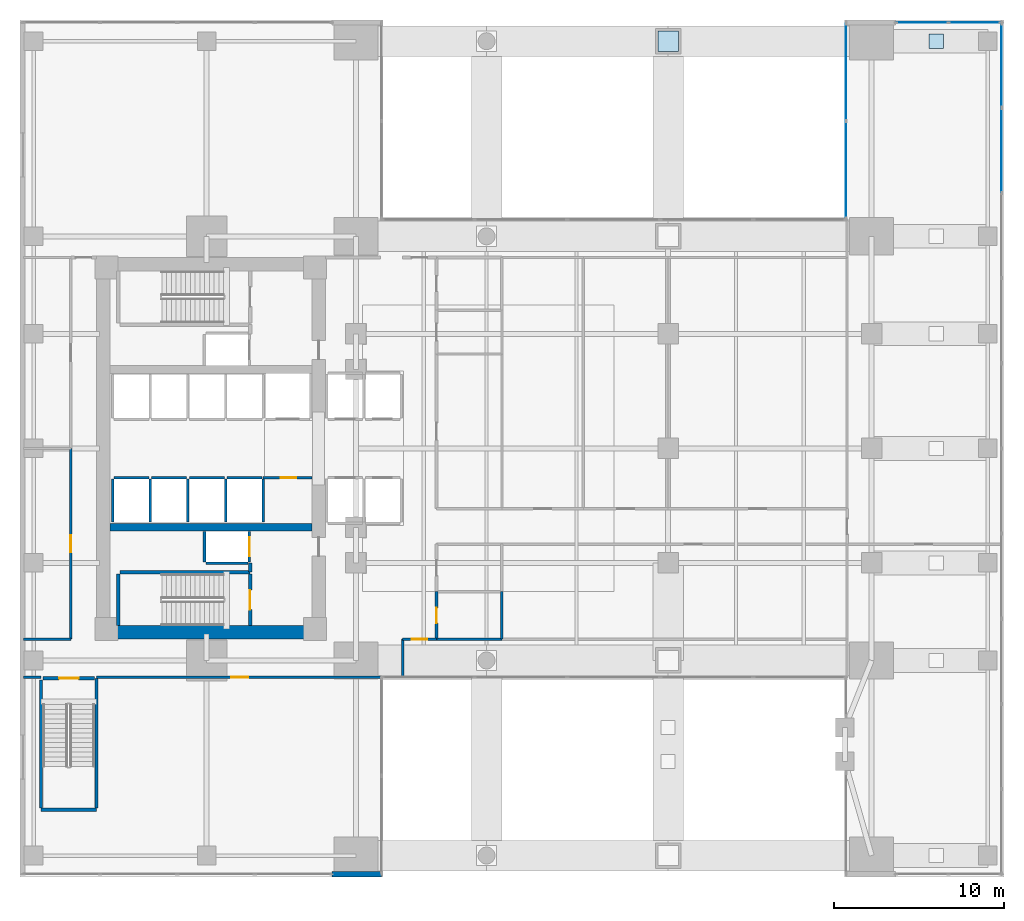
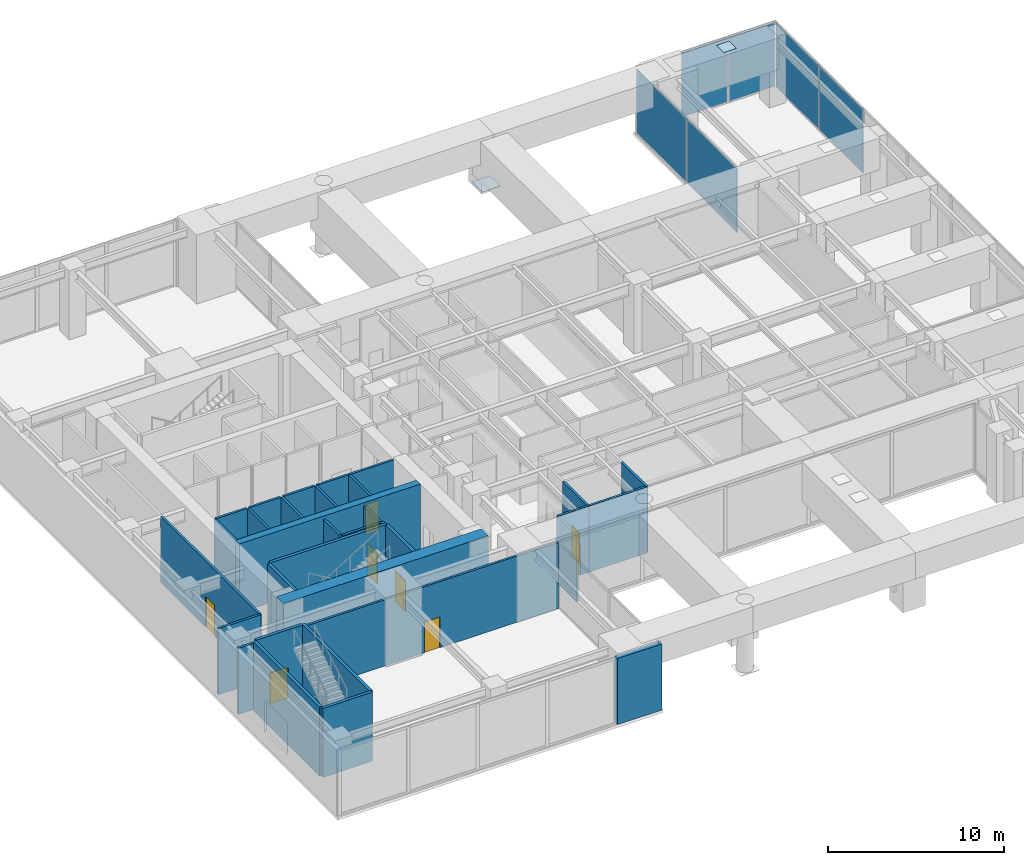
# One storey, part 8 of 13: 33 walls, 8 doors, 8 plates, 8 openings, 3 elements without a shape of their own.
"""IFC4 building model written with IfcOpenShell, lengths in metres."""

from ifc_helpers import new_model, si_unit, direction, frame, frame_2d, origin, origin_2d, place, context, subcontext, project, spatial, polyline, rectangle, outline, extrude, material, layer, layer_set, type_object, element, fill, aggregate, save


model = new_model("IFC4")

# Units and contexts
model_context = context("Model", 3, precision=1e-05, world=origin(), true_north=direction((0.0, 1.0)))
body_context = subcontext(model_context, "Body", "Model", "MODEL_VIEW")
ifc_project = project(units=[si_unit("LENGTHUNIT", "METRE"), si_unit("AREAUNIT", "SQUARE_METRE"), si_unit("VOLUMEUNIT", "CUBIC_METRE"), si_unit("PLANEANGLEUNIT", "RADIAN"), si_unit("MASSUNIT", "GRAM", prefix="KILO")], contexts=[model_context])

# Site, building, storey
site_placement = place(None, origin())
site = spatial("IfcSite", under=ifc_project, at=site_placement, CompositionType="ELEMENT")
building_placement = place(site_placement, origin())
building = spatial("IfcBuilding", under=site, at=building_placement, Name="Kinhvarn Gate Tower", CompositionType="ELEMENT")
storey_placement = place(building_placement, frame((0.0, 0.0, 15.60009765625)))
storey = spatial("IfcBuildingStorey", under=building, at=storey_placement, Name="L03", CompositionType="ELEMENT", Elevation=15.60009765625)

# Curtain wall, plates
ifc_material_1 = material(Name="Anodised aluminium AW-6063", Category="aluminium")
ifc_layer_1 = layer(ifc_material_1, 0.219970703125)
ifc_layer_set_1 = layer_set([ifc_layer_1], Name="Anodised aluminium AW-6063")
curtain_wall_type = type_object("IfcCurtainWallType", Name="CW-SYS-1", PredefinedType="NOTDEFINED", material=ifc_layer_set_1)
curtain_wall_1_placement = place(storey_placement, origin())
curtain_wall_1 = element("IfcCurtainWall", 1, at=curtain_wall_1_placement, inside=storey, type_object=curtain_wall_type, Name="Curtain Wall CW1 (L03)", PredefinedType="NOTDEFINED")
ifc_material_2 = material(Name="Clear low-e double glazing", Category="glass")
ifc_layer_2 = layer(ifc_material_2, 0.031982421875)
ifc_layer_set_2 = layer_set([ifc_layer_2], Name="Clear low-e double glazing")
plate_type_1 = type_object("IfcPlateType", Name="CW-PNL-VIS", PredefinedType="CURTAIN_PANEL", material=ifc_layer_set_2)
plate_1_placement = place(storey_placement, frame((57.85009765625, 42.820068359375, 0.079833984375), z_axis=(0.0, 0.0, 1.0), x_axis=(0.0, 1.0, 0.0)))
plate_1 = element("IfcPlate", 2, at=plate_1_placement, type_object=plate_type_1, Name="CW1 panel 9.1", PredefinedType="CURTAIN_PANEL", context=body_context, shape_type="SweptSolid", body=[
    extrude(rectangle(XDim=4.93994140625, YDim=0.031982421875, at=origin_2d()), origin(), (0.0, 0.0, 1.0), 4.43994140625),
])
plate_2_placement = place(storey_placement, frame((57.85009765625, 47.820068359375, 0.079833984375), z_axis=(0.0, 0.0, 1.0), x_axis=(0.0, 1.0, 0.0)))
plate_2 = element("IfcPlate", 3, at=plate_2_placement, type_object=plate_type_1, Name="CW1 panel 10.1", PredefinedType="CURTAIN_PANEL", context=body_context, shape_type="SweptSolid", body=[
    extrude(rectangle(XDim=4.89990234375, YDim=0.031982421875, at=origin_2d()), origin(), (0.0, 0.0, 1.0), 4.43994140625),
])
aggregate(curtain_wall_1, [plate_1, plate_2])

curtain_wall_2_placement = place(storey_placement, origin())
curtain_wall_2 = element("IfcCurtainWall", 4, at=curtain_wall_2_placement, inside=storey, type_object=curtain_wall_type, Name="Curtain Wall CW1 (L03)", PredefinedType="NOTDEFINED")
plate_3_placement = place(storey_placement, frame((56.267578125, 50.35009765625, 0.079833984375), z_axis=(0.0, 0.0, 1.0), x_axis=(-1.0, 0.0, 0.0)))
plate_3 = element("IfcPlate", 5, at=plate_3_placement, type_object=plate_type_1, Name="CW1 panel 1.1", PredefinedType="CURTAIN_PANEL", context=body_context, shape_type="SweptSolid", body=[
    extrude(rectangle(XDim=3.0048828125, YDim=0.031982421875, at=origin_2d()), origin(), (0.0, 0.0, 1.0), 4.43994140625),
])
plate_4_placement = place(storey_placement, frame((53.1826171875, 50.35009765625, 0.079833984375), z_axis=(0.0, 0.0, 1.0), x_axis=(-1.0, 0.0, 0.0)))
plate_4 = element("IfcPlate", 6, at=plate_4_placement, type_object=plate_type_1, Name="CW1 panel 2.1", PredefinedType="CURTAIN_PANEL", context=body_context, shape_type="SweptSolid", body=[
    extrude(rectangle(XDim=3.0048828125, YDim=0.031982421875, at=origin_2d()), origin(), (0.0, 0.0, 1.0), 4.43994140625),
])
aggregate(curtain_wall_2, [plate_3, plate_4])

curtain_wall_3_placement = place(storey_placement, origin())
curtain_wall_3 = element("IfcCurtainWall", 7, at=curtain_wall_3_placement, inside=storey, type_object=curtain_wall_type, Name="Curtain Wall CW1 (L03)", PredefinedType="NOTDEFINED")
plate_5_placement = place(storey_placement, frame((48.68994140625, 47.427490234375, 0.079833984375), z_axis=(0.0, 0.0, 1.0), x_axis=(0.0, -1.0, 0.0)))
plate_5 = element("IfcPlate", 8, at=plate_5_placement, type_object=plate_type_1, Name="CW1 panel 1.1", PredefinedType="CURTAIN_PANEL", context=body_context, shape_type="SweptSolid", body=[
    extrude(rectangle(XDim=5.68505859375, YDim=0.031982421875, at=origin_2d()), origin(), (0.0, 0.0, 1.0), 4.43994140625),
])
plate_6_placement = place(storey_placement, frame((48.68994140625, 41.66259765625, 0.079833984375), z_axis=(0.0, 0.0, 1.0), x_axis=(0.0, -1.0, 0.0)))
plate_6 = element("IfcPlate", 9, at=plate_6_placement, type_object=plate_type_1, Name="CW1 panel 2.1", PredefinedType="CURTAIN_PANEL", context=body_context, shape_type="SweptSolid", body=[
    extrude(rectangle(XDim=5.68505859375, YDim=0.031982421875, at=origin_2d()), origin(), (0.0, 0.0, 1.0), 4.43994140625),
])
aggregate(curtain_wall_3, [plate_5, plate_6])

# Plates
ifc_material_3 = material(Name="Steel S355", Category="steel")
ifc_layer_3 = layer(ifc_material_3, 0.028076171875)
ifc_layer_set_3 = layer_set([ifc_layer_3], Name="Steel S355")
plate_type_2 = type_object("IfcPlateType", Name="PLT-NODE-AN3", PredefinedType="USERDEFINED", material=ifc_layer_set_3)
plate_7_placement = place(storey_placement, frame((0.0, 0.0, 0.785888671875)))
element("IfcPlate", 10, at=plate_7_placement, inside=storey, type_object=plate_type_2, Name="Structural Node Cap Plate AN3", ObjectType="GUSSET_PLATE", PredefinedType="USERDEFINED", context=body_context, shape_type="SweptSolid", body=[
    extrude(outline(polyline([(37.60009765625, 48.64990234375), (38.800048828125, 48.64990234375), (38.800048828125, 49.85009765625), (37.60009765625, 49.85009765625), (37.60009765625, 48.64990234375)])), origin(), (0.0, 0.0, 1.0), 0.028076171875),
])
ifc_layer_4 = layer(ifc_material_3, 0.028076171875)
ifc_layer_set_4 = layer_set([ifc_layer_4], Name="Steel S355")
plate_type_3 = type_object("IfcPlateType", Name="PLT-NODE-TN1", PredefinedType="USERDEFINED", material=ifc_layer_set_4)
plate_8_placement = place(storey_placement, frame((0.0, 0.0, 4.77587890625)))
element("IfcPlate", 11, at=plate_8_placement, inside=storey, type_object=plate_type_3, Name="Structural Node Cap Plate TN1", ObjectType="GUSSET_PLATE", PredefinedType="USERDEFINED", context=body_context, shape_type="SweptSolid", body=[
    extrude(outline(polyline([(53.580078125, 48.830078125), (54.419921875, 48.830078125), (54.419921875, 49.669921875), (53.580078125, 49.669921875), (53.580078125, 48.830078125)])), origin(), (0.0, 0.0, 1.0), 0.028076171875),
])

# Walls
ifc_material_4 = material(Name="Concrete C50/60", Category="concrete")
ifc_layer_5 = layer(ifc_material_4, 0.449951171875)
ifc_layer_set_5 = layer_set([ifc_layer_5], Name="Concrete C50/60")
wall_type_1 = type_object("IfcWallType", Name="WL-CORE-450", PredefinedType="SHEAR", material=ifc_layer_set_5)
wall_1_placement = place(storey_placement, frame((5.300048828125, 20.60009765625, 0.0), z_axis=(0.0, 0.0, 1.0), x_axis=(1.0, 0.0, 0.0)))
element("IfcWall", 12, at=wall_1_placement, inside=storey, type_object=wall_type_1, Name="Core South Spine Shear Wall L03 450 mm", PredefinedType="SHEAR", context=body_context, shape_type="SweptSolid", body=[
    extrude(rectangle(XDim=11.89990234375, YDim=0.449951171875, at=frame_2d((5.949951171875, 0.0))), origin(), (0.0, 0.0, 1.0), 4.7998046875),
])
ifc_material_5 = material(Name="Concrete C70/85", Category="concrete")
ifc_layer_6 = layer(ifc_material_5, 0.800048828125)
ifc_layer_set_6 = layer_set([ifc_layer_6], Name="Concrete C70/85")
wall_type_2 = type_object("IfcWallType", Name="WL-CORE-800", PredefinedType="SHEAR", material=ifc_layer_set_6)
wall_2_placement = place(storey_placement, frame((4.5, 14.39990234375, 0.0), z_axis=(0.0, 0.0, 1.0), x_axis=(1.0, 0.0, 0.0)))
element("IfcWall", 13, at=wall_2_placement, inside=storey, type_object=wall_type_2, Name="Core South Shear Wall L03 800 mm", PredefinedType="SHEAR", context=body_context, shape_type="SweptSolid", body=[
    extrude(rectangle(XDim=13.5, YDim=0.800048828125, at=frame_2d((6.75, 0.0))), origin(), (0.0, 0.0, 1.0), 4.7998046875),
])
ifc_material_6 = material(Name="Precast white architectural concrete C40/50", Category="concrete")
ifc_layer_7 = layer(ifc_material_6, 0.300048828125)
ifc_layer_set_7 = layer_set([ifc_layer_7], Name="Precast white architectural concrete C40/50")
wall_type_3 = type_object("IfcWallType", Name="WL-EXT-300", PredefinedType="SOLIDWALL", material=ifc_layer_set_7)
wall_3_placement = place(storey_placement, frame((18.39990234375, 0.14990234375, 0.0), z_axis=(0.0, 0.0, 1.0), x_axis=(1.0, 0.0, 0.0)))
element("IfcWall", 14, at=wall_3_placement, inside=storey, type_object=wall_type_3, Name="Exterior Solidwall Wall EW-300 (L03 Arch-SW-Pier-L03)", PredefinedType="SOLIDWALL", context=body_context, shape_type="SweptSolid", body=[
    extrude(rectangle(XDim=2.91015625, YDim=0.300048828125, at=frame_2d((1.455078125, 0.0))), origin(), (0.0, 0.0, 1.0), 4.599853515625),
])
ifc_material_7 = material(Name="Gypsum acoustic partition board")
ifc_layer_8 = layer(ifc_material_7, 0.14990234375)
ifc_layer_set_8 = layer_set([ifc_layer_8], Name="Gypsum acoustic partition board")
wall_type_4 = type_object("IfcWallType", Name="WL-PLM-150", PredefinedType="PLUMBINGWALL", material=ifc_layer_set_8)
wall_4_placement = place(storey_placement, frame((24.550048828125, 14.0, 0.0), z_axis=(0.0, 0.0, 1.0), x_axis=(1.0, 0.0, 0.0)))
element("IfcWall", 15, at=wall_4_placement, inside=storey, type_object=wall_type_4, Name="Interior Partition PLW-150 (L03)", PredefinedType="PLUMBINGWALL", context=body_context, shape_type="SweptSolid", body=[
    extrude(rectangle(XDim=3.849853515625, YDim=0.14990234375, at=frame_2d((1.9248046875, 0.0))), origin(), (0.0, 0.0, 1.0), 4.599853515625),
])
wall_5_placement = place(storey_placement, frame((28.39990234375, 14.0, 0.0), z_axis=(0.0, 0.0, 1.0), x_axis=(0.0, 1.0, 0.0)))
element("IfcWall", 16, at=wall_5_placement, inside=storey, type_object=wall_type_4, Name="Interior Partition PLW-150 (L03)", PredefinedType="PLUMBINGWALL", context=body_context, shape_type="SweptSolid", body=[
    extrude(rectangle(XDim=2.800048828125, YDim=0.14990234375, at=frame_2d((1.39990234375, 0.0))), origin(), (0.0, 0.0, 1.0), 4.599853515625),
])

# Wall, opening, door
ifc_layer_9 = layer(ifc_material_7, 0.14990234375)
ifc_layer_set_9 = layer_set([ifc_layer_9], Name="Gypsum acoustic partition board")
wall_type_5 = type_object("IfcWallType", Name="WL-PLM-150F", PredefinedType="PLUMBINGWALL", material=ifc_layer_set_9)
wall_6_placement = place(storey_placement, frame((24.550048828125, 14.0, 0.0), z_axis=(0.0, 0.0, 1.0), x_axis=(0.0, 1.0, 0.0)))
wall_6 = element("IfcWall", 17, at=wall_6_placement, inside=storey, type_object=wall_type_5, Name="Interior Partition PLW-150F (L03)", PredefinedType="PLUMBINGWALL", context=body_context, shape_type="SweptSolid", body=[
    extrude(rectangle(XDim=2.800048828125, YDim=0.14990234375, at=frame_2d((1.39990234375, 0.0))), origin(), (0.0, 0.0, 1.0), 4.599853515625),
])
opening_1_placement = place(wall_6_placement, frame((0.949951171875, 0.0, 0.0)))
opening_1 = element("IfcOpeningElement", 18, at=opening_1_placement, cuts=wall_6, Name="Opening FD-04", PredefinedType="OPENING", context=body_context, shape_type="SweptSolid", body=[
    extrude(rectangle(XDim=0.89990234375, YDim=2.10009765625, at=frame_2d((0.449951171875, 1.050048828125))), frame((0.0, 0.0849609375, 0.0), z_axis=(0.0, -1.0, 0.0), x_axis=(1.0, 0.0, 0.0)), (0.0, 0.0, 1.0), 0.169921875),
])
door_type_1 = type_object("IfcDoorType", Name="DR-FD-900", OperationType="NOTDEFINED", PredefinedType="DOOR", material=ifc_material_1)
door_1_placement = place(opening_1_placement, origin())
door_1 = element("IfcDoor", 19, at=door_1_placement, inside=storey, type_object=door_type_1, Name="Rated Riser & Service Closet Fire Door 900x2100 mm (L03)", OperationType="SINGLE_SWING_RIGHT", OverallHeight=2.10009765625, OverallWidth=0.89990234375, PredefinedType="DOOR", context=body_context, shape_type="SweptSolid", body=[
    extrude(rectangle(XDim=0.89990234375, YDim=2.10009765625, at=frame_2d((0.449951171875, 1.050048828125))), frame((0.0, 0.02490234375, 0.0), z_axis=(0.0, -1.0, 0.0), x_axis=(1.0, 0.0, 0.0)), (0.0, 0.0, 1.0), 0.050048828125),
])
fill(opening_1, door_1)

ifc_layer_10 = layer(ifc_material_7, 0.14990234375)
ifc_layer_set_10 = layer_set([ifc_layer_10], Name="Gypsum acoustic partition board")
wall_type_6 = type_object("IfcWallType", Name="WL-PRT-150F", PredefinedType="PARTITIONING", material=ifc_layer_set_10)
wall_7_placement = place(storey_placement, frame((14.330078125, 23.52001953125, 0.0), z_axis=(0.0, 0.0, 1.0), x_axis=(1.0, 0.0, 0.0)))
wall_7 = element("IfcWall", 20, at=wall_7_placement, inside=storey, type_object=wall_type_6, Name="Interior Partition PW-150F (L03)", PredefinedType="PARTITIONING", context=body_context, shape_type="SweptSolid", body=[
    extrude(rectangle(XDim=2.889892578125, YDim=0.14990234375, at=frame_2d((1.44482421875, 0.0))), origin(), (0.0, 0.0, 1.0), 4.599853515625),
])
opening_2_placement = place(wall_7_placement, frame((1.052734375, 0.0, 0.0)))
opening_2 = element("IfcOpeningElement", 21, at=opening_2_placement, cuts=wall_7, Name="Opening FD-04", PredefinedType="OPENING", context=body_context, shape_type="SweptSolid", body=[
    extrude(rectangle(XDim=0.89990234375, YDim=2.10009765625, at=frame_2d((0.449951171875, 1.050048828125))), frame((0.0, 0.0849609375, 0.0), z_axis=(0.0, -1.0, 0.0), x_axis=(1.0, 0.0, 0.0)), (0.0, 0.0, 1.0), 0.169921875),
])
door_2_placement = place(opening_2_placement, origin())
door_2 = element("IfcDoor", 22, at=door_2_placement, inside=storey, type_object=door_type_1, Name="Rated Riser & Service Closet Fire Door 900x2100 mm (L03)", OperationType="SINGLE_SWING_LEFT", OverallHeight=2.10009765625, OverallWidth=0.89990234375, PredefinedType="DOOR", context=body_context, shape_type="SweptSolid", body=[
    extrude(rectangle(XDim=0.89990234375, YDim=2.10009765625, at=frame_2d((0.449951171875, 1.050048828125))), frame((0.0, 0.02490234375, 0.0), z_axis=(0.0, -1.0, 0.0), x_axis=(1.0, 0.0, 0.0)), (0.0, 0.0, 1.0), 0.050048828125),
])
fill(opening_2, door_2)

wall_8_placement = place(storey_placement, frame((22.550048828125, 14.0, 0.0), z_axis=(0.0, 0.0, 1.0), x_axis=(1.0, 0.0, 0.0)))
wall_8 = element("IfcWall", 23, at=wall_8_placement, inside=storey, type_object=wall_type_6, Name="Interior Partition PW-150F (L03)", PredefinedType="PARTITIONING", context=body_context, shape_type="SweptSolid", body=[
    extrude(rectangle(XDim=2.0, YDim=0.14990234375, at=frame_2d((1.0, 0.0))), origin(), (0.0, 0.0, 1.0), 4.599853515625),
])
opening_3_placement = place(wall_8_placement, frame((0.550048828125, 0.0, 0.0)))
opening_3 = element("IfcOpeningElement", 24, at=opening_3_placement, cuts=wall_8, Name="Opening ID-03", PredefinedType="OPENING", context=body_context, shape_type="SweptSolid", body=[
    extrude(rectangle(XDim=0.89990234375, YDim=2.10009765625, at=frame_2d((0.449951171875, 1.050048828125))), frame((0.0, 0.0849609375, 0.0), z_axis=(0.0, -1.0, 0.0), x_axis=(1.0, 0.0, 0.0)), (0.0, 0.0, 1.0), 0.169921875),
])
door_type_2 = type_object("IfcDoorType", Name="DR-INT-900", OperationType="NOTDEFINED", PredefinedType="DOOR", material=ifc_material_1)
door_3_placement = place(opening_3_placement, origin())
door_3 = element("IfcDoor", 25, at=door_3_placement, inside=storey, type_object=door_type_2, Name="Cellular Office & Restroom Door 900x2100 mm (L03)", OperationType="SINGLE_SWING_RIGHT", OverallHeight=2.10009765625, OverallWidth=0.89990234375, PredefinedType="DOOR", context=body_context, shape_type="SweptSolid", body=[
    extrude(rectangle(XDim=0.89990234375, YDim=2.10009765625, at=frame_2d((0.449951171875, 1.050048828125))), frame((0.0, 0.02490234375, 0.0), z_axis=(0.0, -1.0, 0.0), x_axis=(1.0, 0.0, 0.0)), (0.0, 0.0, 1.0), 0.050048828125),
])
fill(opening_3, door_3)

# Wall
wall_9_placement = place(storey_placement, frame((0.199951171875, 11.75, 0.0), z_axis=(0.0, 0.0, 1.0), x_axis=(1.0, 0.0, 0.0)))
element("IfcWall", 26, at=wall_9_placement, inside=storey, type_object=wall_type_6, Name="Interior Partition PW-150F (L03)", PredefinedType="PARTITIONING", context=body_context, shape_type="SweptSolid", body=[
    extrude(rectangle(XDim=1.0400390625, YDim=0.14990234375, at=frame_2d((0.52001953125, 0.0))), origin(), (0.0, 0.0, 1.0), 4.599853515625),
])

# Wall, opening, door
wall_10_placement = place(storey_placement, frame((4.52001953125, 11.75, 0.0), z_axis=(0.0, 0.0, 1.0), x_axis=(1.0, 0.0, 0.0)))
wall_10 = element("IfcWall", 27, at=wall_10_placement, inside=storey, type_object=wall_type_6, Name="Interior Partition PW-150F (L03)", PredefinedType="PARTITIONING", context=body_context, shape_type="SweptSolid", body=[
    extrude(rectangle(XDim=16.72998046875, YDim=0.14990234375, at=frame_2d((8.364990234375, 0.0))), origin(), (0.0, 0.0, 1.0), 4.599853515625),
])
opening_4_placement = place(wall_10_placement, frame((7.93994140625, 0.0, 0.0)))
opening_4 = element("IfcOpeningElement", 28, at=opening_4_placement, cuts=wall_10, Name="Opening ID-02", PredefinedType="OPENING", context=body_context, shape_type="SweptSolid", body=[
    extrude(rectangle(XDim=1.0, YDim=2.14990234375, at=frame_2d((0.5, 1.074951171875))), frame((0.0, 0.0849609375, 0.0), z_axis=(0.0, -1.0, 0.0), x_axis=(1.0, 0.0, 0.0)), (0.0, 0.0, 1.0), 0.169921875),
])
door_type_3 = type_object("IfcDoorType", Name="DR-INT-1000", OperationType="NOTDEFINED", PredefinedType="DOOR", material=ifc_material_1)
door_4_placement = place(opening_4_placement, origin())
door_4 = element("IfcDoor", 29, at=door_4_placement, inside=storey, type_object=door_type_3, Name="Standard Office & Meeting Room Door 1000x2150 mm (L03)", OperationType="SINGLE_SWING_LEFT", OverallHeight=2.14990234375, OverallWidth=1.0, PredefinedType="DOOR", context=body_context, shape_type="SweptSolid", body=[
    extrude(rectangle(XDim=1.0, YDim=2.14990234375, at=frame_2d((0.5, 1.074951171875))), frame((0.0, 0.02490234375, 0.0), z_axis=(0.0, -1.0, 0.0), x_axis=(1.0, 0.0, 0.0)), (0.0, 0.0, 1.0), 0.050048828125),
])
fill(opening_4, door_4)

# Walls
wall_11_placement = place(storey_placement, frame((0.199951171875, 14.0, 0.0), z_axis=(0.0, 0.0, 1.0), x_axis=(1.0, 0.0, 0.0)))
element("IfcWall", 30, at=wall_11_placement, inside=storey, type_object=wall_type_6, Name="Interior Partition PW-150F (L03)", PredefinedType="PARTITIONING", context=body_context, shape_type="SweptSolid", body=[
    extrude(rectangle(XDim=2.800048828125, YDim=0.14990234375, at=frame_2d((1.39990234375, 0.0))), origin(), (0.0, 0.0, 1.0), 4.599853515625),
])
wall_12_placement = place(storey_placement, frame((22.550048828125, 11.75, 0.0), z_axis=(0.0, 0.0, 1.0), x_axis=(0.0, 1.0, 0.0)))
element("IfcWall", 31, at=wall_12_placement, inside=storey, type_object=wall_type_6, Name="Interior Partition PW-150F (L03)", PredefinedType="PARTITIONING", context=body_context, shape_type="SweptSolid", body=[
    extrude(rectangle(XDim=2.25, YDim=0.14990234375, at=frame_2d((1.125, 0.0))), origin(), (0.0, 0.0, 1.0), 4.599853515625),
])

# Wall, opening, door
wall_13_placement = place(storey_placement, frame((3.0, 14.0, 0.0), z_axis=(0.0, 0.0, 1.0), x_axis=(0.0, 1.0, 0.0)))
wall_13 = element("IfcWall", 32, at=wall_13_placement, inside=storey, type_object=wall_type_6, Name="Interior Partition PW-150F (L03)", PredefinedType="PARTITIONING", context=body_context, shape_type="SweptSolid", body=[
    extrude(rectangle(XDim=11.25, YDim=0.14990234375, at=frame_2d((5.625, 0.0))), origin(), (0.0, 0.0, 1.0), 4.599853515625),
])
opening_5_placement = place(wall_13_placement, frame((5.125, 0.0, 0.0)))
opening_5 = element("IfcOpeningElement", 33, at=opening_5_placement, cuts=wall_13, Name="Opening ID-02", PredefinedType="OPENING", context=body_context, shape_type="SweptSolid", body=[
    extrude(rectangle(XDim=1.0, YDim=2.14990234375, at=frame_2d((0.5, 1.074951171875))), frame((0.0, 0.0849609375, 0.0), z_axis=(0.0, -1.0, 0.0), x_axis=(1.0, 0.0, 0.0)), (0.0, 0.0, 1.0), 0.169921875),
])
door_5_placement = place(opening_5_placement, origin())
door_5 = element("IfcDoor", 34, at=door_5_placement, inside=storey, type_object=door_type_3, Name="Standard Office & Meeting Room Door 1000x2150 mm (L03)", OperationType="SINGLE_SWING_RIGHT", OverallHeight=2.14990234375, OverallWidth=1.0, PredefinedType="DOOR", context=body_context, shape_type="SweptSolid", body=[
    extrude(rectangle(XDim=1.0, YDim=2.14990234375, at=frame_2d((0.5, 1.074951171875))), frame((0.0, 0.02490234375, 0.0), z_axis=(0.0, -1.0, 0.0), x_axis=(1.0, 0.0, 0.0)), (0.0, 0.0, 1.0), 0.050048828125),
])
fill(opening_5, door_5)

# Walls
ifc_layer_11 = layer(ifc_material_7, 0.199951171875)
ifc_layer_set_11 = layer_set([ifc_layer_11], Name="Gypsum acoustic partition board")
wall_type_7 = type_object("IfcWallType", Name="WL-PRT-200", PredefinedType="PARTITIONING", material=ifc_layer_set_11)
wall_14_placement = place(storey_placement, frame((13.580078125, 17.9599609375, 0.0), z_axis=(0.0, 0.0, 1.0), x_axis=(0.0, 1.0, 0.0)))
element("IfcWall", 35, at=wall_14_placement, inside=storey, type_object=wall_type_7, Name="Interior Partition PW-200 (L03)", PredefinedType="PARTITIONING", context=body_context, shape_type="SweptSolid", body=[
    extrude(rectangle(XDim=0.5400390625, YDim=0.199951171875, at=frame_2d((0.27001953125, 0.0))), origin(), (0.0, 0.0, 1.0), 4.599853515625),
])
ifc_layer_12 = layer(ifc_material_7, 0.14990234375)
ifc_layer_set_12 = layer_set([ifc_layer_12], Name="Gypsum acoustic partition board")
wall_type_8 = type_object("IfcWallType", Name="WL-SHF-150", PredefinedType="PARTITIONING", material=ifc_layer_set_12)
wall_15_placement = place(storey_placement, frame((5.550048828125, 23.52490234375, 0.0), z_axis=(0.0, 0.0, 1.0), x_axis=(1.0, 0.0, 0.0)))
element("IfcWall", 36, at=wall_15_placement, inside=storey, type_object=wall_type_8, Name="Elevator PM-05 Landing Wall (L03)", PredefinedType="PARTITIONING", context=body_context, shape_type="SweptSolid", body=[
    extrude(rectangle(XDim=2.050048828125, YDim=0.14990234375, at=frame_2d((1.02490234375, 0.0))), origin(), (0.0, 0.0, 1.0), 4.599853515625),
])
for number, where, z_axis, x_axis, name in (
    (37, (5.47509765625, 20.89990234375, 0.0), (0.0, 0.0, 1.0), (0.0, 1.0, 0.0), "Elevator PM-05 Hoistway Wall W (L03)"),
    (38, (7.675048828125, 20.89990234375, 0.0), (0.0, 0.0, 1.0), (0.0, 1.0, 0.0), "Elevator PM-05 Hoistway Wall E (L03)"),
):
    element("IfcWall", number, at=place(storey_placement, frame(where, z_axis=z_axis, x_axis=x_axis)), inside=storey, type_object=wall_type_8, Name=name, PredefinedType="PARTITIONING", context=body_context, shape_type="SweptSolid", body=[
        extrude(rectangle(XDim=2.550048828125, YDim=0.14990234375, at=frame_2d((1.27490234375, 0.0))), origin(), (0.0, 0.0, 1.0), 4.599853515625),
    ])
wall_16_placement = place(storey_placement, frame((7.75, 23.52490234375, 0.0), z_axis=(0.0, 0.0, 1.0), x_axis=(1.0, 0.0, 0.0)))
element("IfcWall", 39, at=wall_16_placement, inside=storey, type_object=wall_type_8, Name="Elevator PM-06 Landing Wall (L03)", PredefinedType="PARTITIONING", context=body_context, shape_type="SweptSolid", body=[
    extrude(rectangle(XDim=2.050048828125, YDim=0.14990234375, at=frame_2d((1.02490234375, 0.0))), origin(), (0.0, 0.0, 1.0), 4.599853515625),
])
wall_17_placement = place(storey_placement, frame((9.875, 20.89990234375, 0.0), z_axis=(0.0, 0.0, 1.0), x_axis=(0.0, 1.0, 0.0)))
element("IfcWall", 40, at=wall_17_placement, inside=storey, type_object=wall_type_8, Name="Elevator PM-06 Hoistway Wall E (L03)", PredefinedType="PARTITIONING", context=body_context, shape_type="SweptSolid", body=[
    extrude(rectangle(XDim=2.550048828125, YDim=0.14990234375, at=frame_2d((1.27490234375, 0.0))), origin(), (0.0, 0.0, 1.0), 4.599853515625),
])
wall_18_placement = place(storey_placement, frame((10.0, 23.52490234375, 0.0), z_axis=(0.0, 0.0, 1.0), x_axis=(1.0, 0.0, 0.0)))
element("IfcWall", 41, at=wall_18_placement, inside=storey, type_object=wall_type_8, Name="Elevator PH-09 Landing Wall (L03)", PredefinedType="PARTITIONING", context=body_context, shape_type="SweptSolid", body=[
    extrude(rectangle(XDim=2.050048828125, YDim=0.14990234375, at=frame_2d((1.02490234375, 0.0))), origin(), (0.0, 0.0, 1.0), 4.599853515625),
])
wall_19_placement = place(storey_placement, frame((12.125, 20.89990234375, 0.0), z_axis=(0.0, 0.0, 1.0), x_axis=(0.0, 1.0, 0.0)))
element("IfcWall", 42, at=wall_19_placement, inside=storey, type_object=wall_type_8, Name="Elevator PH-09 Hoistway Wall E (L03)", PredefinedType="PARTITIONING", context=body_context, shape_type="SweptSolid", body=[
    extrude(rectangle(XDim=2.550048828125, YDim=0.14990234375, at=frame_2d((1.27490234375, 0.0))), origin(), (0.0, 0.0, 1.0), 4.599853515625),
])
wall_20_placement = place(storey_placement, frame((12.199951171875, 23.52490234375, 0.0), z_axis=(0.0, 0.0, 1.0), x_axis=(1.0, 0.0, 0.0)))
element("IfcWall", 43, at=wall_20_placement, inside=storey, type_object=wall_type_8, Name="Elevator PH-10 Landing Wall (L03)", PredefinedType="PARTITIONING", context=body_context, shape_type="SweptSolid", body=[
    extrude(rectangle(XDim=2.050048828125, YDim=0.14990234375, at=frame_2d((1.02490234375, 0.0))), origin(), (0.0, 0.0, 1.0), 4.599853515625),
])
wall_21_placement = place(storey_placement, frame((14.324951171875, 20.89990234375, 0.0), z_axis=(0.0, 0.0, 1.0), x_axis=(0.0, 1.0, 0.0)))
element("IfcWall", 44, at=wall_21_placement, inside=storey, type_object=wall_type_8, Name="Elevator PH-10 Hoistway Wall E (L03)", PredefinedType="PARTITIONING", context=body_context, shape_type="SweptSolid", body=[
    extrude(rectangle(XDim=2.550048828125, YDim=0.14990234375, at=frame_2d((1.27490234375, 0.0))), origin(), (0.0, 0.0, 1.0), 4.599853515625),
])
wall_22_placement = place(storey_placement, frame((10.949951171875, 18.47509765625, 0.0), z_axis=(0.0, 0.0, 1.0), x_axis=(1.0, 0.0, 0.0)))
element("IfcWall", 45, at=wall_22_placement, inside=storey, type_object=wall_type_8, Name="Elevator FF1 Hoistway Wall S (L03)", PredefinedType="PARTITIONING", context=body_context, shape_type="SweptSolid", body=[
    extrude(rectangle(XDim=2.5, YDim=0.14990234375, at=frame_2d((1.25, 0.0))), origin(), (0.0, 0.0, 1.0), 4.599853515625),
])
wall_23_placement = place(storey_placement, frame((10.875, 18.550048828125, 0.0), z_axis=(0.0, 0.0, 1.0), x_axis=(0.0, 1.0, 0.0)))
element("IfcWall", 46, at=wall_23_placement, inside=storey, type_object=wall_type_8, Name="Elevator FF1 Hoistway Wall W (L03)", PredefinedType="PARTITIONING", context=body_context, shape_type="SweptSolid", body=[
    extrude(rectangle(XDim=1.800048828125, YDim=0.14990234375, at=frame_2d((0.89990234375, 0.0))), origin(), (0.0, 0.0, 1.0), 4.599853515625),
])

# Wall, opening, door
wall_24_placement = place(storey_placement, frame((13.52490234375, 18.550048828125, 0.0), z_axis=(0.0, 0.0, 1.0), x_axis=(0.0, 1.0, 0.0)))
wall_24 = element("IfcWall", 47, at=wall_24_placement, inside=storey, type_object=wall_type_8, Name="Elevator FF1 Landing Wall (L03)", PredefinedType="PARTITIONING", context=body_context, shape_type="SweptSolid", body=[
    extrude(rectangle(XDim=1.800048828125, YDim=0.14990234375, at=frame_2d((0.89990234375, 0.0))), origin(), (0.0, 0.0, 1.0), 4.599853515625),
])
opening_6_placement = place(wall_24_placement, frame((0.35009765625, 0.0, 0.0)))
opening_6 = element("IfcOpeningElement", 48, at=opening_6_placement, cuts=wall_24, Name="Opening LD-03", PredefinedType="OPENING", context=body_context, shape_type="SweptSolid", body=[
    extrude(rectangle(XDim=1.10009765625, YDim=2.199951171875, at=frame_2d((0.550048828125, 1.10009765625))), frame((0.0, 0.0849609375, 0.0), z_axis=(0.0, -1.0, 0.0), x_axis=(1.0, 0.0, 0.0)), (0.0, 0.0, 1.0), 0.169921875),
])
door_type_4 = type_object("IfcDoorType", Name="DR-LND-FF", OperationType="NOTDEFINED", PredefinedType="DOOR", material=ifc_material_1)
door_6_placement = place(opening_6_placement, origin())
door_6 = element("IfcDoor", 49, at=door_6_placement, inside=storey, type_object=door_type_4, Name="Elevator FF1 Sliding Landing Door (L03)", OperationType="DOUBLE_DOOR_SLIDING", OverallHeight=2.199951171875, OverallWidth=1.10009765625, PredefinedType="DOOR", context=body_context, shape_type="SweptSolid", body=[
    extrude(rectangle(XDim=1.10009765625, YDim=2.199951171875, at=frame_2d((0.550048828125, 1.10009765625))), frame((0.0, 0.02490234375, 0.0), z_axis=(0.0, -1.0, 0.0), x_axis=(1.0, 0.0, 0.0)), (0.0, 0.0, 1.0), 0.050048828125),
])
fill(opening_6, door_6)

# Walls
ifc_material_8 = material(Name="Concrete C40/50", Category="concrete")
ifc_layer_13 = layer(ifc_material_8, 0.199951171875)
ifc_layer_set_13 = layer_set([ifc_layer_13], Name="Concrete C40/50")
wall_type_9 = type_object("IfcWallType", Name="WL-SHF-200", PredefinedType="SOLIDWALL", material=ifc_layer_set_13)
wall_25_placement = place(storey_placement, frame((5.7900390625, 14.800048828125, 0.0), z_axis=(0.0, 0.0, 1.0), x_axis=(0.0, 1.0, 0.0)))
element("IfcWall", 50, at=wall_25_placement, inside=storey, type_object=wall_type_9, Name="Stair ST1 West Shaft Wall (L03)", PredefinedType="SOLIDWALL", context=body_context, shape_type="SweptSolid", body=[
    extrude(rectangle(XDim=3.050048828125, YDim=0.199951171875, at=frame_2d((1.52490234375, 0.0))), origin(), (0.0, 0.0, 1.0), 4.7998046875),
])
wall_26_placement = place(storey_placement, frame((5.89990234375, 17.9599609375, 0.0), z_axis=(0.0, 0.0, 1.0), x_axis=(1.0, 0.0, 0.0)))
element("IfcWall", 51, at=wall_26_placement, inside=storey, type_object=wall_type_9, Name="Stair ST1 North Shaft Wall (L03)", PredefinedType="SOLIDWALL", context=body_context, shape_type="SweptSolid", body=[
    extrude(rectangle(XDim=7.66015625, YDim=0.199951171875, at=frame_2d((3.830078125, 0.0))), origin(), (0.0, 0.0, 1.0), 4.7998046875),
])

# Wall, opening, door
wall_27_placement = place(storey_placement, frame((13.56005859375, 14.800048828125, 0.0), z_axis=(0.0, 0.0, 1.0), x_axis=(0.0, 1.0, 0.0)))
wall_27 = element("IfcWall", 52, at=wall_27_placement, inside=storey, type_object=wall_type_9, Name="Stair ST1 East Entry Wall (L03)", PredefinedType="SOLIDWALL", context=body_context, shape_type="SweptSolid", body=[
    extrude(rectangle(XDim=3.050048828125, YDim=0.199951171875, at=frame_2d((1.52490234375, 0.0))), origin(), (0.0, 0.0, 1.0), 4.7998046875),
])
opening_7_placement = place(wall_27_placement, frame((0.949951171875, 0.0, 0.0)))
opening_7 = element("IfcOpeningElement", 53, at=opening_7_placement, cuts=wall_27, Name="Opening FD-01", PredefinedType="OPENING", context=body_context, shape_type="SweptSolid", body=[
    extrude(rectangle(XDim=1.14990234375, YDim=2.14990234375, at=frame_2d((0.574951171875, 1.074951171875))), frame((0.0, 0.10986328125, 0.0), z_axis=(0.0, -1.0, 0.0), x_axis=(1.0, 0.0, 0.0)), (0.0, 0.0, 1.0), 0.219970703125),
])
door_type_5 = type_object("IfcDoorType", Name="DR-ST-1150", OperationType="NOTDEFINED", PredefinedType="DOOR", material=ifc_material_1)
door_7_placement = place(opening_7_placement, origin())
door_7 = element("IfcDoor", 54, at=door_7_placement, inside=storey, type_object=door_type_5, Name="Exit Stair ST1 Fire Door (L03)", OperationType="SINGLE_SWING_LEFT", OverallHeight=2.14990234375, OverallWidth=1.14990234375, PredefinedType="DOOR", context=body_context, shape_type="SweptSolid", body=[
    extrude(rectangle(XDim=1.14990234375, YDim=2.14990234375, at=frame_2d((0.574951171875, 1.074951171875))), frame((0.0, 0.02490234375, 0.0), z_axis=(0.0, -1.0, 0.0), x_axis=(1.0, 0.0, 0.0)), (0.0, 0.0, 1.0), 0.050048828125),
])
fill(opening_7, door_7)

# Walls
wall_28_placement = place(storey_placement, frame((1.25, 3.949951171875, 0.0), z_axis=(0.0, 0.0, 1.0), x_axis=(1.0, 0.0, 0.0)))
element("IfcWall", 55, at=wall_28_placement, inside=storey, type_object=wall_type_9, Name="Stair ST3 South Shaft Wall (L03)", PredefinedType="SOLIDWALL", context=body_context, shape_type="SweptSolid", body=[
    extrude(rectangle(XDim=3.25, YDim=0.199951171875, at=frame_2d((1.625, 0.0))), origin(), (0.0, 0.0, 1.0), 4.7998046875),
])
wall_29_placement = place(storey_placement, frame((1.239990234375, 4.050048828125, 0.0), z_axis=(0.0, 0.0, 1.0), x_axis=(0.0, 1.0, 0.0)))
element("IfcWall", 56, at=wall_29_placement, inside=storey, type_object=wall_type_9, Name="Stair ST3 West Shaft Wall (L03)", PredefinedType="SOLIDWALL", context=body_context, shape_type="SweptSolid", body=[
    extrude(rectangle(XDim=7.550048828125, YDim=0.199951171875, at=frame_2d((3.77490234375, 0.0))), origin(), (0.0, 0.0, 1.0), 4.7998046875),
])
wall_30_placement = place(storey_placement, frame((4.510009765625, 4.050048828125, 0.0), z_axis=(0.0, 0.0, 1.0), x_axis=(0.0, 1.0, 0.0)))
element("IfcWall", 57, at=wall_30_placement, inside=storey, type_object=wall_type_9, Name="Stair ST3 East Shaft Wall (L03)", PredefinedType="SOLIDWALL", context=body_context, shape_type="SweptSolid", body=[
    extrude(rectangle(XDim=7.64990234375, YDim=0.199951171875, at=frame_2d((3.824951171875, 0.0))), origin(), (0.0, 0.0, 1.0), 4.7998046875),
])

# Wall, opening, door
wall_31_placement = place(storey_placement, frame((1.35009765625, 11.7099609375, 0.0), z_axis=(0.0, 0.0, 1.0), x_axis=(1.0, 0.0, 0.0)))
wall_31 = element("IfcWall", 58, at=wall_31_placement, inside=storey, type_object=wall_type_9, Name="Stair ST3 North Entry Wall (L03)", PredefinedType="SOLIDWALL", context=body_context, shape_type="SweptSolid", body=[
    extrude(rectangle(XDim=3.0498046875, YDim=0.199951171875, at=frame_2d((1.52490234375, 0.0))), origin(), (0.0, 0.0, 1.0), 4.7998046875),
])
opening_8_placement = place(wall_31_placement, frame((0.949951171875, 0.0, 0.0)))
opening_8 = element("IfcOpeningElement", 59, at=opening_8_placement, cuts=wall_31, Name="Opening FD-01", PredefinedType="OPENING", context=body_context, shape_type="SweptSolid", body=[
    extrude(rectangle(XDim=1.14990234375, YDim=2.14990234375, at=frame_2d((0.574951171875, 1.074951171875))), frame((0.0, 0.10986328125, 0.0), z_axis=(0.0, -1.0, 0.0), x_axis=(1.0, 0.0, 0.0)), (0.0, 0.0, 1.0), 0.219970703125),
])
door_8_placement = place(opening_8_placement, origin())
door_8 = element("IfcDoor", 60, at=door_8_placement, inside=storey, type_object=door_type_5, Name="Exit Stair ST3 Fire Door (L03)", OperationType="SINGLE_SWING_LEFT", OverallHeight=2.14990234375, OverallWidth=1.14990234375, PredefinedType="DOOR", context=body_context, shape_type="SweptSolid", body=[
    extrude(rectangle(XDim=1.14990234375, YDim=2.14990234375, at=frame_2d((0.574951171875, 1.074951171875))), frame((0.0, 0.02490234375, 0.0), z_axis=(0.0, -1.0, 0.0), x_axis=(1.0, 0.0, 0.0)), (0.0, 0.0, 1.0), 0.050048828125),
])
fill(opening_8, door_8)

save(model, "model.ifc")
